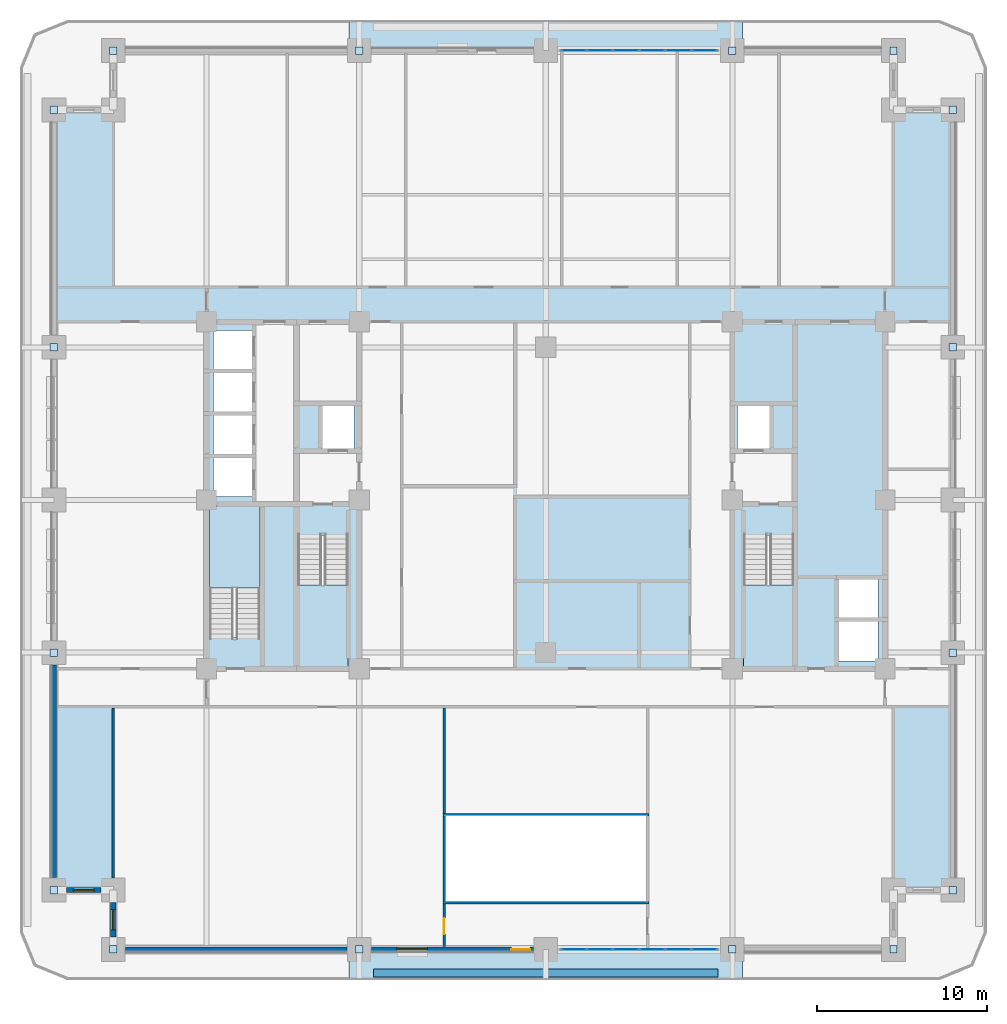
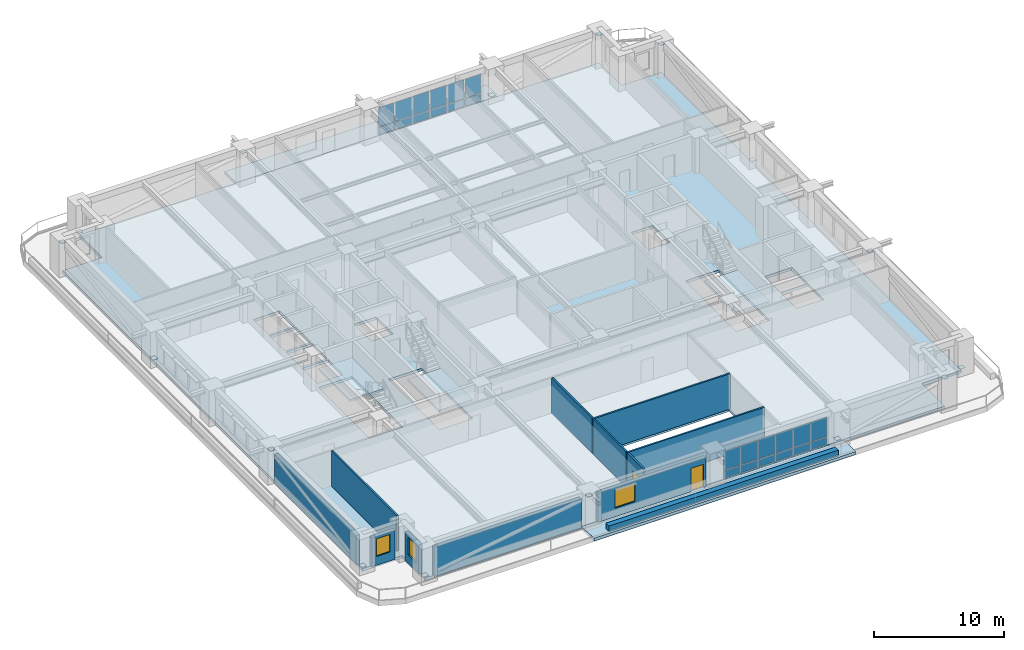
# One storey, part 7 of 20: 40 plates, 12 walls, 6 slabs, 3 windows, 2 doors, 5 openings, 5 elements without a shape of their own.
"""IFC4 building model written with IfcOpenShell, lengths in metres."""

from ifc_helpers import new_model, si_unit, direction, frame, frame_2d, origin, origin_2d, place, context, subcontext, project, spatial, polyline, rectangle, outline, extrude, material, layer, layer_set, type_object, element, fill, aggregate, save


model = new_model("IFC4")

# Units and contexts
model_context = context("Model", 3, precision=1e-05, world=origin(), true_north=direction((0.0, 1.0)))
body_context = subcontext(model_context, "Body", "Model", "MODEL_VIEW")
ifc_project = project(units=[si_unit("LENGTHUNIT", "METRE"), si_unit("AREAUNIT", "SQUARE_METRE"), si_unit("VOLUMEUNIT", "CUBIC_METRE"), si_unit("PLANEANGLEUNIT", "RADIAN"), si_unit("MASSUNIT", "GRAM", prefix="KILO")], contexts=[model_context])

# Site, building, storey
site_placement = place(None, origin())
site = spatial("IfcSite", under=ifc_project, at=site_placement, CompositionType="ELEMENT")
building_placement = place(site_placement, origin())
building = spatial("IfcBuilding", under=site, at=building_placement, Name="Zulmaris Gate Convention Tower", CompositionType="ELEMENT")
storey_placement = place(building_placement, frame((0.0, 0.0, 75.0400390625)))
storey = spatial("IfcBuildingStorey", under=building, at=storey_placement, Name="L18", CompositionType="ELEMENT", Elevation=75.0400390625)

# Curtain wall, plates
ifc_material_1 = material(Name="Anodised Aluminium", Category="aluminium")
curtain_wall_type = type_object("IfcCurtainWallType", Name="CW-05", PredefinedType="NOTDEFINED", material=ifc_material_1)
curtain_wall_1_placement = place(storey_placement, origin())
curtain_wall_1 = element("IfcCurtainWall", 1, at=curtain_wall_1_placement, inside=storey, type_object=curtain_wall_type, Name="CW-05 CW05-L18-S-2_0", PredefinedType="NOTDEFINED")
ifc_material_2 = material(Name="Low-E Double Glazing", Category="glass")
ifc_layer_1 = layer(ifc_material_2, 0.028076171875, Name="Low-E Double Glazing")
ifc_layer_set_1 = layer_set([ifc_layer_1], Name="Low-E Double Glazing")
plate_type_1 = type_object("IfcPlateType", Name="CW-05-VISION", PredefinedType="CURTAIN_PANEL", material=ifc_layer_set_1)
plate_1_placement = place(storey_placement, frame((1.652099609375, -26.5, 0.074951171875), z_axis=(0.0, 0.0, 1.0), x_axis=(1.0, 0.0, 0.0)))
plate_1 = element("IfcPlate", 2, at=plate_1_placement, type_object=plate_type_1, Name="CW-05 panel 1.1", PredefinedType="CURTAIN_PANEL", context=body_context, shape_type="SweptSolid", body=[
    extrude(rectangle(XDim=1.43408203125, YDim=0.028076171875, at=origin_2d()), origin(), (0.0, 0.0, 1.0), 0.6875),
])
plate_2_placement = place(storey_placement, frame((1.652099609375, -26.5, 0.83740234375), z_axis=(0.0, 0.0, 1.0), x_axis=(1.0, 0.0, 0.0)))
plate_2 = element("IfcPlate", 3, at=plate_2_placement, type_object=plate_type_1, Name="CW-05 panel 1.2", PredefinedType="CURTAIN_PANEL", context=body_context, shape_type="SweptSolid", body=[
    extrude(rectangle(XDim=1.43408203125, YDim=0.028076171875, at=origin_2d()), origin(), (0.0, 0.0, 1.0), 1.79931640625),
])
plate_3_placement = place(storey_placement, frame((3.179931640625, -26.5, 0.074951171875), z_axis=(0.0, 0.0, 1.0), x_axis=(1.0, 0.0, 0.0)))
plate_3 = element("IfcPlate", 4, at=plate_3_placement, type_object=plate_type_1, Name="CW-05 panel 2.1", PredefinedType="CURTAIN_PANEL", context=body_context, shape_type="SweptSolid", body=[
    extrude(rectangle(XDim=1.4716796875, YDim=0.028076171875, at=origin_2d()), origin(), (0.0, 0.0, 1.0), 0.6875),
])
plate_4_placement = place(storey_placement, frame((3.179931640625, -26.5, 0.83740234375), z_axis=(0.0, 0.0, 1.0), x_axis=(1.0, 0.0, 0.0)))
plate_4 = element("IfcPlate", 5, at=plate_4_placement, type_object=plate_type_1, Name="CW-05 panel 2.2", PredefinedType="CURTAIN_PANEL", context=body_context, shape_type="SweptSolid", body=[
    extrude(rectangle(XDim=1.4716796875, YDim=0.028076171875, at=origin_2d()), origin(), (0.0, 0.0, 1.0), 1.79931640625),
])
plate_5_placement = place(storey_placement, frame((4.7265625, -26.5, 0.074951171875), z_axis=(0.0, 0.0, 1.0), x_axis=(1.0, 0.0, 0.0)))
plate_5 = element("IfcPlate", 6, at=plate_5_placement, type_object=plate_type_1, Name="CW-05 panel 3.1", PredefinedType="CURTAIN_PANEL", context=body_context, shape_type="SweptSolid", body=[
    extrude(rectangle(XDim=1.4716796875, YDim=0.028076171875, at=origin_2d()), origin(), (0.0, 0.0, 1.0), 0.6875),
])
plate_6_placement = place(storey_placement, frame((4.7265625, -26.5, 0.83740234375), z_axis=(0.0, 0.0, 1.0), x_axis=(1.0, 0.0, 0.0)))
plate_6 = element("IfcPlate", 7, at=plate_6_placement, type_object=plate_type_1, Name="CW-05 panel 3.2", PredefinedType="CURTAIN_PANEL", context=body_context, shape_type="SweptSolid", body=[
    extrude(rectangle(XDim=1.4716796875, YDim=0.028076171875, at=origin_2d()), origin(), (0.0, 0.0, 1.0), 1.79931640625),
])
plate_7_placement = place(storey_placement, frame((6.2734375, -26.5, 0.074951171875), z_axis=(0.0, 0.0, 1.0), x_axis=(1.0, 0.0, 0.0)))
plate_7 = element("IfcPlate", 8, at=plate_7_placement, type_object=plate_type_1, Name="CW-05 panel 4.1", PredefinedType="CURTAIN_PANEL", context=body_context, shape_type="SweptSolid", body=[
    extrude(rectangle(XDim=1.4716796875, YDim=0.028076171875, at=origin_2d()), origin(), (0.0, 0.0, 1.0), 0.6875),
])
plate_8_placement = place(storey_placement, frame((6.2734375, -26.5, 0.83740234375), z_axis=(0.0, 0.0, 1.0), x_axis=(1.0, 0.0, 0.0)))
plate_8 = element("IfcPlate", 9, at=plate_8_placement, type_object=plate_type_1, Name="CW-05 panel 4.2", PredefinedType="CURTAIN_PANEL", context=body_context, shape_type="SweptSolid", body=[
    extrude(rectangle(XDim=1.4716796875, YDim=0.028076171875, at=origin_2d()), origin(), (0.0, 0.0, 1.0), 1.79931640625),
])
plate_9_placement = place(storey_placement, frame((7.820068359375, -26.5, 0.074951171875), z_axis=(0.0, 0.0, 1.0), x_axis=(1.0, 0.0, 0.0)))
plate_9 = element("IfcPlate", 10, at=plate_9_placement, type_object=plate_type_1, Name="CW-05 panel 5.1", PredefinedType="CURTAIN_PANEL", context=body_context, shape_type="SweptSolid", body=[
    extrude(rectangle(XDim=1.4716796875, YDim=0.028076171875, at=origin_2d()), origin(), (0.0, 0.0, 1.0), 0.6875),
])
plate_10_placement = place(storey_placement, frame((7.820068359375, -26.5, 0.83740234375), z_axis=(0.0, 0.0, 1.0), x_axis=(1.0, 0.0, 0.0)))
plate_10 = element("IfcPlate", 11, at=plate_10_placement, type_object=plate_type_1, Name="CW-05 panel 5.2", PredefinedType="CURTAIN_PANEL", context=body_context, shape_type="SweptSolid", body=[
    extrude(rectangle(XDim=1.4716796875, YDim=0.028076171875, at=origin_2d()), origin(), (0.0, 0.0, 1.0), 1.79931640625),
])
plate_11_placement = place(storey_placement, frame((9.347900390625, -26.5, 0.074951171875), z_axis=(0.0, 0.0, 1.0), x_axis=(1.0, 0.0, 0.0)))
plate_11 = element("IfcPlate", 12, at=plate_11_placement, type_object=plate_type_1, Name="CW-05 panel 6.1", PredefinedType="CURTAIN_PANEL", context=body_context, shape_type="SweptSolid", body=[
    extrude(rectangle(XDim=1.43408203125, YDim=0.028076171875, at=origin_2d()), origin(), (0.0, 0.0, 1.0), 0.6875),
])
plate_12_placement = place(storey_placement, frame((9.347900390625, -26.5, 0.83740234375), z_axis=(0.0, 0.0, 1.0), x_axis=(1.0, 0.0, 0.0)))
plate_12 = element("IfcPlate", 13, at=plate_12_placement, type_object=plate_type_1, Name="CW-05 panel 6.2", PredefinedType="CURTAIN_PANEL", context=body_context, shape_type="SweptSolid", body=[
    extrude(rectangle(XDim=1.43408203125, YDim=0.028076171875, at=origin_2d()), origin(), (0.0, 0.0, 1.0), 1.79931640625),
])
aggregate(curtain_wall_1, [plate_1, plate_2, plate_3, plate_4, plate_5, plate_6, plate_7, plate_8, plate_9, plate_10, plate_11, plate_12])

curtain_wall_2_placement = place(storey_placement, origin())
curtain_wall_2 = element("IfcCurtainWall", 14, at=curtain_wall_2_placement, inside=storey, type_object=curtain_wall_type, Name="CW-05 CW05-L18-N-2_0", PredefinedType="NOTDEFINED")
plate_13_placement = place(storey_placement, frame((9.347900390625, 26.5, 0.074951171875), z_axis=(0.0, 0.0, 1.0), x_axis=(-1.0, 0.0, 0.0)))
plate_13 = element("IfcPlate", 15, at=plate_13_placement, type_object=plate_type_1, Name="CW-05 panel 1.1", PredefinedType="CURTAIN_PANEL", context=body_context, shape_type="SweptSolid", body=[
    extrude(rectangle(XDim=1.43408203125, YDim=0.028076171875, at=origin_2d()), origin(), (0.0, 0.0, 1.0), 0.6875),
])
plate_14_placement = place(storey_placement, frame((9.347900390625, 26.5, 0.83740234375), z_axis=(0.0, 0.0, 1.0), x_axis=(-1.0, 0.0, 0.0)))
plate_14 = element("IfcPlate", 16, at=plate_14_placement, type_object=plate_type_1, Name="CW-05 panel 1.2", PredefinedType="CURTAIN_PANEL", context=body_context, shape_type="SweptSolid", body=[
    extrude(rectangle(XDim=1.43408203125, YDim=0.028076171875, at=origin_2d()), origin(), (0.0, 0.0, 1.0), 1.79931640625),
])
plate_15_placement = place(storey_placement, frame((7.820068359375, 26.5, 0.074951171875), z_axis=(0.0, 0.0, 1.0), x_axis=(-1.0, 0.0, 0.0)))
plate_15 = element("IfcPlate", 17, at=plate_15_placement, type_object=plate_type_1, Name="CW-05 panel 2.1", PredefinedType="CURTAIN_PANEL", context=body_context, shape_type="SweptSolid", body=[
    extrude(rectangle(XDim=1.4716796875, YDim=0.028076171875, at=origin_2d()), origin(), (0.0, 0.0, 1.0), 0.6875),
])
plate_16_placement = place(storey_placement, frame((7.820068359375, 26.5, 0.83740234375), z_axis=(0.0, 0.0, 1.0), x_axis=(-1.0, 0.0, 0.0)))
plate_16 = element("IfcPlate", 18, at=plate_16_placement, type_object=plate_type_1, Name="CW-05 panel 2.2", PredefinedType="CURTAIN_PANEL", context=body_context, shape_type="SweptSolid", body=[
    extrude(rectangle(XDim=1.4716796875, YDim=0.028076171875, at=origin_2d()), origin(), (0.0, 0.0, 1.0), 1.79931640625),
])
plate_17_placement = place(storey_placement, frame((6.2734375, 26.5, 0.074951171875), z_axis=(0.0, 0.0, 1.0), x_axis=(-1.0, 0.0, 0.0)))
plate_17 = element("IfcPlate", 19, at=plate_17_placement, type_object=plate_type_1, Name="CW-05 panel 3.1", PredefinedType="CURTAIN_PANEL", context=body_context, shape_type="SweptSolid", body=[
    extrude(rectangle(XDim=1.4716796875, YDim=0.028076171875, at=origin_2d()), origin(), (0.0, 0.0, 1.0), 0.6875),
])
plate_18_placement = place(storey_placement, frame((6.2734375, 26.5, 0.83740234375), z_axis=(0.0, 0.0, 1.0), x_axis=(-1.0, 0.0, 0.0)))
plate_18 = element("IfcPlate", 20, at=plate_18_placement, type_object=plate_type_1, Name="CW-05 panel 3.2", PredefinedType="CURTAIN_PANEL", context=body_context, shape_type="SweptSolid", body=[
    extrude(rectangle(XDim=1.4716796875, YDim=0.028076171875, at=origin_2d()), origin(), (0.0, 0.0, 1.0), 1.79931640625),
])
plate_19_placement = place(storey_placement, frame((4.7265625, 26.5, 0.074951171875), z_axis=(0.0, 0.0, 1.0), x_axis=(-1.0, 0.0, 0.0)))
plate_19 = element("IfcPlate", 21, at=plate_19_placement, type_object=plate_type_1, Name="CW-05 panel 4.1", PredefinedType="CURTAIN_PANEL", context=body_context, shape_type="SweptSolid", body=[
    extrude(rectangle(XDim=1.4716796875, YDim=0.028076171875, at=origin_2d()), origin(), (0.0, 0.0, 1.0), 0.6875),
])
plate_20_placement = place(storey_placement, frame((4.7265625, 26.5, 0.83740234375), z_axis=(0.0, 0.0, 1.0), x_axis=(-1.0, 0.0, 0.0)))
plate_20 = element("IfcPlate", 22, at=plate_20_placement, type_object=plate_type_1, Name="CW-05 panel 4.2", PredefinedType="CURTAIN_PANEL", context=body_context, shape_type="SweptSolid", body=[
    extrude(rectangle(XDim=1.4716796875, YDim=0.028076171875, at=origin_2d()), origin(), (0.0, 0.0, 1.0), 1.79931640625),
])
plate_21_placement = place(storey_placement, frame((3.179931640625, 26.5, 0.074951171875), z_axis=(0.0, 0.0, 1.0), x_axis=(-1.0, 0.0, 0.0)))
plate_21 = element("IfcPlate", 23, at=plate_21_placement, type_object=plate_type_1, Name="CW-05 panel 5.1", PredefinedType="CURTAIN_PANEL", context=body_context, shape_type="SweptSolid", body=[
    extrude(rectangle(XDim=1.4716796875, YDim=0.028076171875, at=origin_2d()), origin(), (0.0, 0.0, 1.0), 0.6875),
])
plate_22_placement = place(storey_placement, frame((3.179931640625, 26.5, 0.83740234375), z_axis=(0.0, 0.0, 1.0), x_axis=(-1.0, 0.0, 0.0)))
plate_22 = element("IfcPlate", 24, at=plate_22_placement, type_object=plate_type_1, Name="CW-05 panel 5.2", PredefinedType="CURTAIN_PANEL", context=body_context, shape_type="SweptSolid", body=[
    extrude(rectangle(XDim=1.4716796875, YDim=0.028076171875, at=origin_2d()), origin(), (0.0, 0.0, 1.0), 1.79931640625),
])
plate_23_placement = place(storey_placement, frame((1.652099609375, 26.5, 0.074951171875), z_axis=(0.0, 0.0, 1.0), x_axis=(-1.0, 0.0, 0.0)))
plate_23 = element("IfcPlate", 25, at=plate_23_placement, type_object=plate_type_1, Name="CW-05 panel 6.1", PredefinedType="CURTAIN_PANEL", context=body_context, shape_type="SweptSolid", body=[
    extrude(rectangle(XDim=1.43408203125, YDim=0.028076171875, at=origin_2d()), origin(), (0.0, 0.0, 1.0), 0.6875),
])
plate_24_placement = place(storey_placement, frame((1.652099609375, 26.5, 0.83740234375), z_axis=(0.0, 0.0, 1.0), x_axis=(-1.0, 0.0, 0.0)))
plate_24 = element("IfcPlate", 26, at=plate_24_placement, type_object=plate_type_1, Name="CW-05 panel 6.2", PredefinedType="CURTAIN_PANEL", context=body_context, shape_type="SweptSolid", body=[
    extrude(rectangle(XDim=1.43408203125, YDim=0.028076171875, at=origin_2d()), origin(), (0.0, 0.0, 1.0), 1.79931640625),
])
aggregate(curtain_wall_2, [plate_13, plate_14, plate_15, plate_16, plate_17, plate_18, plate_19, plate_20, plate_21, plate_22, plate_23, plate_24])

# Plates
ifc_material_3 = material(Name="Steel S460", Category="steel")
ifc_layer_2 = layer(ifc_material_3, 0.02490234375, Name="Steel S460")
ifc_layer_set_2 = layer_set([ifc_layer_2], Name="Steel S460")
plate_type_2 = type_object("IfcPlateType", Name="NP-CAP-440", PredefinedType="USERDEFINED", material=ifc_layer_set_2)
for number, where, z_axis, x_axis, name in (
    (27, (-29.0, -23.0, 0.28759765625), (0.0, 0.0, 1.0), (1.0, 0.0, 0.0), "L18 Steel Node Plate PBR-L18-SW-W-CAP"),
    (28, (-29.0, -9.0, 2.6875), (0.0, 0.0, 1.0), (1.0, 0.0, 0.0), "L18 Steel Node Plate PBR-L18-SW-W-CAPB"),
    (29, (-29.0, 9.0, 0.28759765625), (0.0, 0.0, 1.0), (1.0, 0.0, 0.0), "L18 Steel Node Plate PBR-L18-NW-W-CAP"),
    (30, (-29.0, 23.0, 2.6875), (0.0, 0.0, 1.0), (1.0, 0.0, 0.0), "L18 Steel Node Plate PBR-L18-NW-W-CAPB"),
    (31, (24.0, -23.0, 0.28759765625), (0.0, 0.0, 1.0), (1.0, 0.0, 0.0), "L18 Steel Node Plate PBR-L18-SE-E-CAP"),
    (32, (24.0, -9.0, 2.6875), (0.0, 0.0, 1.0), (1.0, 0.0, 0.0), "L18 Steel Node Plate PBR-L18-SE-E-CAPB"),
    (33, (24.0, 9.0, 0.28759765625), (0.0, 0.0, 1.0), (1.0, 0.0, 0.0), "L18 Steel Node Plate PBR-L18-NE-E-CAP"),
    (34, (24.0, 23.0, 2.6875), (0.0, 0.0, 1.0), (1.0, 0.0, 0.0), "L18 Steel Node Plate PBR-L18-NE-E-CAPB"),
    (35, (-25.5, -26.5, 0.28759765625), (0.0, 0.0, 1.0), (1.0, 0.0, 0.0), "L18 Steel Node Plate PBR-L18-SW-S-CAP"),
    (36, (-11.0, -26.5, 2.6875), (0.0, 0.0, 1.0), (1.0, 0.0, 0.0), "L18 Steel Node Plate PBR-L18-SW-S-CAPB"),
    (37, (11.0, -26.5, 0.28759765625), (0.0, 0.0, 1.0), (1.0, 0.0, 0.0), "L18 Steel Node Plate PBR-L18-SE-S-CAP"),
    (38, (20.5, -26.5, 2.6875), (0.0, 0.0, 1.0), (1.0, 0.0, 0.0), "L18 Steel Node Plate PBR-L18-SE-S-CAPB"),
    (39, (-25.5, 26.5, 0.28759765625), (0.0, 0.0, 1.0), (1.0, 0.0, 0.0), "L18 Steel Node Plate PBR-L18-NW-N-CAP"),
    (40, (-11.0, 26.5, 2.6875), (0.0, 0.0, 1.0), (1.0, 0.0, 0.0), "L18 Steel Node Plate PBR-L18-NW-N-CAPB"),
    (41, (11.0, 26.5, 0.28759765625), (0.0, 0.0, 1.0), (1.0, 0.0, 0.0), "L18 Steel Node Plate PBR-L18-NE-N-CAP"),
    (42, (20.5, 26.5, 2.6875), (0.0, 0.0, 1.0), (1.0, 0.0, 0.0), "L18 Steel Node Plate PBR-L18-NE-N-CAPB"),
):
    element("IfcPlate", number, at=place(storey_placement, frame(where, z_axis=z_axis, x_axis=x_axis)), inside=storey, type_object=plate_type_2, Name=name, ObjectType="FLANGE PLATE", PredefinedType="USERDEFINED", context=body_context, shape_type="SweptSolid", body=[
        extrude(rectangle(XDim=0.43994140625, YDim=0.43994140625, at=origin_2d()), origin(), (0.0, 0.0, 1.0), 0.02490234375),
    ])

# Slabs
ifc_material_4 = material(Name="Precast concrete C50/60", Category="concrete")
ifc_layer_3 = layer(ifc_material_4, 0.260009765625, Name="Precast concrete C50/60")
ifc_layer_set_3 = layer_set([ifc_layer_3], Name="Precast concrete C50/60")
slab_type_1 = type_object("IfcSlabType", Name="SL-BAL-260", PredefinedType="FLOOR", material=ifc_layer_set_3)
slab_1_placement = place(storey_placement, frame((0.0, 0.0, -0.324951171875)))
element("IfcSlab", 43, at=slab_1_placement, inside=storey, type_object=slab_type_1, Name="L18 South Tree-Balcony Planter Slab", PredefinedType="FLOOR", context=body_context, shape_type="SweptSolid", body=[
    extrude(outline(polyline([(-11.597900390625, -28.300048828125), (-11.597900390625, -26.5), (11.597900390625, -26.5), (11.597900390625, -28.300048828125), (-11.597900390625, -28.300048828125)])), origin(), (0.0, 0.0, 1.0), 0.284912109375),
])
slab_2_placement = place(storey_placement, frame((0.0, 0.0, -0.324951171875)))
element("IfcSlab", 44, at=slab_2_placement, inside=storey, type_object=slab_type_1, Name="L18 North Tree-Balcony Planter Slab", PredefinedType="FLOOR", context=body_context, shape_type="SweptSolid", body=[
    extrude(outline(polyline([(11.597900390625, 28.300048828125), (11.597900390625, 26.5), (-11.597900390625, 26.5), (-11.597900390625, 28.300048828125), (11.597900390625, 28.300048828125)])), origin(), (0.0, 0.0, 1.0), 0.284912109375),
])
ifc_material_5 = material(Name="Concrete C50/60", Category="concrete")
ifc_layer_4 = layer(ifc_material_5, 0.25, Name="Concrete C50/60")
ifc_layer_set_4 = layer_set([ifc_layer_4], Name="Concrete C50/60")
slab_type_2 = type_object("IfcSlabType", Name="SL-FLR-250", PredefinedType="FLOOR", material=ifc_layer_set_4)
slab_3_placement = place(storey_placement, frame((0.0, 0.0, -0.25)))
element("IfcSlab", 45, at=slab_3_placement, inside=storey, type_object=slab_type_2, Name="L18 Shifted Notched-Square Structural Floor Slab", PredefinedType="FLOOR", context=body_context, shape_type="SweptSolid", body=[
    extrude(outline(polyline([(-25.5, -26.5), (20.5, -26.5), (20.5, -23.0), (24.0, -23.0), (24.0, 23.0), (20.5, 23.0), (20.5, 26.5), (-25.5, 26.5), (-25.5, 23.0), (-29.0, 23.0), (-29.0, -23.0), (-25.5, -23.0), (-25.5, -26.5)]), holes=[polyline([(-14.6201171875, -2.080078125), (-14.6201171875, -9.85009765625), (-11.659912109375, -9.85009765625), (-11.659912109375, -2.080078125), (-14.6201171875, -2.080078125)]), polyline([(11.659912109375, -2.080078125), (11.659912109375, -9.85009765625), (14.6201171875, -9.85009765625), (14.6201171875, -2.080078125), (11.659912109375, -2.080078125)]), polyline([(-16.860107421875, -8.1201171875), (-16.860107421875, -0.35009765625), (-19.820068359375, -0.35009765625), (-19.820068359375, -8.1201171875), (-16.860107421875, -8.1201171875)]), polyline([(-13.199951171875, 3.0), (-11.300048828125, 3.0), (-11.300048828125, 5.60009765625), (-13.199951171875, 5.60009765625), (-13.199951171875, 3.0)]), polyline([(11.300048828125, 3.0), (13.199951171875, 3.0), (13.199951171875, 5.60009765625), (11.300048828125, 5.60009765625), (11.300048828125, 3.0)]), polyline([(-19.60009765625, 0.199951171875), (-17.300048828125, 0.199951171875), (-17.300048828125, 2.5), (-19.60009765625, 2.5), (-19.60009765625, 0.199951171875)]), polyline([(-19.60009765625, 2.699951171875), (-17.300048828125, 2.699951171875), (-17.300048828125, 5.0), (-19.60009765625, 5.0), (-19.60009765625, 2.699951171875)]), polyline([(-19.60009765625, 5.199951171875), (-17.300048828125, 5.199951171875), (-17.300048828125, 7.5), (-19.60009765625, 7.5), (-19.60009765625, 5.199951171875)]), polyline([(-19.60009765625, 7.699951171875), (-17.300048828125, 7.699951171875), (-17.300048828125, 10.0), (-19.60009765625, 10.0), (-19.60009765625, 7.699951171875)]), polyline([(17.199951171875, -9.5), (19.60009765625, -9.5), (19.60009765625, -7.10009765625), (17.199951171875, -7.10009765625), (17.199951171875, -9.5)]), polyline([(17.199951171875, -7.0), (19.60009765625, -7.0), (19.60009765625, -4.60009765625), (17.199951171875, -4.60009765625), (17.199951171875, -7.0)]), polyline([(-6.0, -23.75), (6.0, -23.75), (6.0, -18.550048828125), (-6.0, -18.550048828125), (-6.0, -23.75)])]), origin(), (0.0, 0.0, 1.0), 0.25),
])

# Stair, slab
ifc_material_6 = material(Name="Concrete C45/55", Category="concrete")
stair_type = type_object("IfcStairType", Name="ST-CORE-DOGLEG", PredefinedType="HALF_TURN_STAIR", material=ifc_material_6)
stair_1_placement = place(storey_placement, origin())
stair_1 = element("IfcStair", 46, at=stair_1_placement, inside=storey, type_object=stair_type, Name="L18 Core Exit Stair ST-1", PredefinedType="HALF_TURN_STAIR")
ifc_layer_5 = layer(ifc_material_6, 0.199951171875, Name="Concrete C45/55")
ifc_layer_set_5 = layer_set([ifc_layer_5], Name="Concrete C45/55")
slab_type_3 = type_object("IfcSlabType", Name="SL-LND-200", PredefinedType="LANDING", material=ifc_layer_set_5)
slab_4_placement = place(storey_placement, frame((0.0, 0.0, 1.5849609375)))
slab_4 = element("IfcSlab", 47, at=slab_4_placement, type_object=slab_type_3, Name="ST-1 landing 1", PredefinedType="LANDING", context=body_context, shape_type="SweptSolid", body=[
    extrude(outline(polyline([(-14.6201171875, -5.0), (-14.6201171875, -9.85009765625), (-11.659912109375, -9.85009765625), (-11.659912109375, -5.0), (-14.6201171875, -5.0)])), origin(), (0.0, 0.0, 1.0), 0.199951171875),
])
aggregate(stair_1, [slab_4])

stair_2_placement = place(storey_placement, origin())
stair_2 = element("IfcStair", 48, at=stair_2_placement, inside=storey, type_object=stair_type, Name="L18 Core Exit Stair ST-2", PredefinedType="HALF_TURN_STAIR")
slab_5_placement = place(storey_placement, frame((0.0, 0.0, 1.5849609375)))
slab_5 = element("IfcSlab", 49, at=slab_5_placement, type_object=slab_type_3, Name="ST-2 landing 1", PredefinedType="LANDING", context=body_context, shape_type="SweptSolid", body=[
    extrude(outline(polyline([(11.659912109375, -5.0), (11.659912109375, -9.85009765625), (14.6201171875, -9.85009765625), (14.6201171875, -5.0), (11.659912109375, -5.0)])), origin(), (0.0, 0.0, 1.0), 0.199951171875),
])
aggregate(stair_2, [slab_5])

stair_3_placement = place(storey_placement, origin())
stair_3 = element("IfcStair", 50, at=stair_3_placement, inside=storey, type_object=stair_type, Name="L18 Core Exit Stair ST-3", PredefinedType="HALF_TURN_STAIR")
slab_6_placement = place(storey_placement, frame((0.0, 0.0, 1.5849609375)))
slab_6 = element("IfcSlab", 51, at=slab_6_placement, type_object=slab_type_3, Name="ST-3 landing 1", PredefinedType="LANDING", context=body_context, shape_type="SweptSolid", body=[
    extrude(outline(polyline([(-16.860107421875, -5.199951171875), (-16.860107421875, -0.35009765625), (-19.820068359375, -0.35009765625), (-19.820068359375, -5.199951171875), (-16.860107421875, -5.199951171875)])), origin(), (0.0, 0.0, 1.0), 0.199951171875),
])
aggregate(stair_3, [slab_6])

# Walls
ifc_material_7 = material(Name="Gypsum Metal Stud Partition")
ifc_layer_6 = layer(ifc_material_7, 0.14990234375, Name="Gypsum Metal Stud Partition")
ifc_layer_set_6 = layer_set([ifc_layer_6], Name="Gypsum Metal Stud Partition")
wall_type_1 = type_object("IfcWallType", Name="PART-150", PredefinedType="PARTITIONING", material=ifc_layer_set_6)
for number, where, z_axis, x_axis, name in (
    (52, (-6.074951171875, -23.75, 0.0), (0.0, 0.0, 1.0), (1.0, 0.0, 0.0), "WL-L18-020"),
    (53, (-6.074951171875, -18.550048828125, 0.0), (0.0, 0.0, 1.0), (1.0, 0.0, 0.0), "WL-L18-021"),
):
    element("IfcWall", number, at=place(storey_placement, frame(where, z_axis=z_axis, x_axis=x_axis)), inside=storey, type_object=wall_type_1, Name=name, PredefinedType="PARTITIONING", context=body_context, shape_type="SweptSolid", body=[
        extrude(rectangle(XDim=12.14990234375, YDim=0.14990234375, at=frame_2d((6.074951171875, 0.0))), origin(), (0.0, 0.0, 1.0), 3.31982421875),
    ])
wall_1_placement = place(storey_placement, frame((-25.5, -22.2939453125, 0.0), z_axis=(0.0, 0.0, 1.0), x_axis=(0.0, 1.0, 0.0)))
element("IfcWall", 54, at=wall_1_placement, inside=storey, type_object=wall_type_1, Name="WL-L18-070", PredefinedType="PARTITIONING", context=body_context, shape_type="SweptSolid", body=[
    extrude(rectangle(XDim=10.015869140625, YDim=0.14990234375, at=frame_2d((5.0078125, 0.0))), origin(), (0.0, 0.0, 1.0), 3.31982421875),
])

# Wall, opening, door
wall_2_placement = place(storey_placement, frame((-6.0, -26.3349609375, 0.0), z_axis=(0.0, 0.0, 1.0), x_axis=(0.0, 1.0, 0.0)))
wall_2 = element("IfcWall", 55, at=wall_2_placement, inside=storey, type_object=wall_type_1, Name="WL-L18-078", PredefinedType="PARTITIONING", context=body_context, shape_type="SweptSolid", body=[
    extrude(rectangle(XDim=2.507080078125, YDim=0.14990234375, at=frame_2d((1.25341796875, 0.0))), origin(), (0.0, 0.0, 1.0), 3.31982421875),
])
opening_1_placement = place(wall_2_placement, frame((0.739990234375, 0.0, 0.0)))
opening_1 = element("IfcOpeningElement", 56, at=opening_1_placement, cuts=wall_2, Name="Opening D-16", PredefinedType="OPENING", context=body_context, shape_type="SweptSolid", body=[
    extrude(rectangle(XDim=0.949951171875, YDim=2.14990234375, at=frame_2d((0.47509765625, 1.074951171875))), frame((0.0, 0.0849609375, 0.0), z_axis=(0.0, -1.0, 0.0), x_axis=(1.0, 0.0, 0.0)), (0.0, 0.0, 1.0), 0.169921875),
])
ifc_material_8 = material(Name="Veneered Hardwood Timber", Category="wood")
door_type_1 = type_object("IfcDoorType", Name="DR-950", OperationType="NOTDEFINED", PredefinedType="DOOR", material=ifc_material_8)
door_1_placement = place(opening_1_placement, origin())
door_1 = element("IfcDoor", 57, at=door_1_placement, inside=storey, type_object=door_type_1, Name="L18 Terrace Loggia West Door 27", OperationType="SINGLE_SWING_LEFT", OverallHeight=2.14990234375, OverallWidth=0.949951171875, PredefinedType="DOOR", context=body_context, shape_type="SweptSolid", body=[
    extrude(rectangle(XDim=0.949951171875, YDim=2.14990234375, at=frame_2d((0.47509765625, 1.074951171875))), frame((0.0, 0.02490234375, 0.0), z_axis=(0.0, -1.0, 0.0), x_axis=(1.0, 0.0, 0.0)), (0.0, 0.0, 1.0), 0.050048828125),
])
fill(opening_1, door_1)

# Walls
wall_3_placement = place(storey_placement, frame((-6.0, -23.672119140625, 0.0), z_axis=(0.0, 0.0, 1.0), x_axis=(0.0, 1.0, 0.0)))
element("IfcWall", 58, at=wall_3_placement, inside=storey, type_object=wall_type_1, Name="WL-L18-079", PredefinedType="PARTITIONING", context=body_context, shape_type="SweptSolid", body=[
    extrude(rectangle(XDim=5.044189453125, YDim=0.14990234375, at=frame_2d((2.52197265625, 0.0))), origin(), (0.0, 0.0, 1.0), 3.31982421875),
])
wall_4_placement = place(storey_placement, frame((-6.0, -18.471923828125, 0.0), z_axis=(0.0, 0.0, 1.0), x_axis=(0.0, 1.0, 0.0)))
element("IfcWall", 59, at=wall_4_placement, inside=storey, type_object=wall_type_1, Name="WL-L18-080", PredefinedType="PARTITIONING", context=body_context, shape_type="SweptSolid", body=[
    extrude(rectangle(XDim=6.19384765625, YDim=0.14990234375, at=frame_2d((3.096923828125, 0.0))), origin(), (0.0, 0.0, 1.0), 3.31982421875),
])
ifc_material_9 = material(Name="Botanical Green Glazed Precast Concrete C40/50", Category="concrete")
ifc_layer_7 = layer(ifc_material_9, 0.419921875, Name="Botanical Green Glazed Precast Concrete C40/50")
ifc_layer_set_7 = layer_set([ifc_layer_7], Name="Botanical Green Glazed Precast Concrete C40/50")
wall_type_2 = type_object("IfcWallType", Name="PLANTER-CURB-200", PredefinedType="PARAPET", material=ifc_layer_set_7)
wall_5_placement = place(storey_placement, frame((-10.14990234375, -27.8798828125, -0.0400390625), z_axis=(0.0, 0.0, 1.0), x_axis=(1.0, 0.0, 0.0)))
element("IfcWall", 60, at=wall_5_placement, inside=storey, type_object=wall_type_2, Name="L18 Full-Length Balcony Tree Planter Trough", PredefinedType="PARAPET", context=body_context, shape_type="SweptSolid", body=[
    extrude(rectangle(XDim=20.2998046875, YDim=0.47998046875, at=frame_2d((10.14990234375, 0.0))), origin(), (0.0, 0.0, 1.0), 0.52001953125),
])

# Wall, opening, window
ifc_material_10 = material(Name="Precast concrete C40/50", Category="concrete")
ifc_layer_8 = layer(ifc_material_10, 0.300048828125, Name="Precast concrete C40/50")
ifc_layer_set_8 = layer_set([ifc_layer_8], Name="Precast concrete C40/50")
wall_type_3 = type_object("IfcWallType", Name="PRECAST-PIER-300", PredefinedType="STANDARD", material=ifc_layer_set_8)
wall_6_placement = place(storey_placement, frame((-28.27001953125, -23.0, 0.0), z_axis=(0.0, 0.0, 1.0), x_axis=(1.0, 0.0, 0.0)))
wall_6 = element("IfcWall", 61, at=wall_6_placement, inside=storey, type_object=wall_type_3, Name="EW-L18-NOTCH-SW1_0", PredefinedType="STANDARD", context=body_context, shape_type="SweptSolid", body=[
    extrude(rectangle(XDim=2.0400390625, YDim=0.300048828125, at=frame_2d((1.02001953125, 0.0))), origin(), (0.0, 0.0, 1.0), 2.7119140625),
])
opening_2_placement = place(wall_6_placement, frame((0.419921875, 0.0, 0.820068359375)))
opening_2 = element("IfcOpeningElement", 62, at=opening_2_placement, cuts=wall_6, Name="Opening W-04", PredefinedType="OPENING", context=body_context, shape_type="SweptSolid", body=[
    extrude(rectangle(XDim=1.199951171875, YDim=1.64990234375, at=frame_2d((0.60009765625, 0.824951171875))), frame((0.0, 0.16015625, 0.0), z_axis=(0.0, -1.0, 0.0), x_axis=(1.0, 0.0, 0.0)), (0.0, 0.0, 1.0), 0.320068359375),
])
ifc_material_11 = material(Name="Low-E Laminated Double Glazing in Aluminium Frame", Category="aluminium")
window_type_1 = type_object("IfcWindowType", Name="WIN-1200x2100", PartitioningType="SINGLE_PANEL", PredefinedType="WINDOW", material=ifc_material_11)
window_1_placement = place(opening_2_placement, origin())
window_1 = element("IfcWindow", 63, at=window_1_placement, inside=storey, type_object=window_type_1, Name="WN-EW-L18-NOTCH-SW1_0", OverallHeight=1.64990234375, OverallWidth=1.199951171875, PartitioningType="SINGLE_PANEL", PredefinedType="WINDOW", context=body_context, shape_type="SweptSolid", body=[
    extrude(rectangle(XDim=1.199951171875, YDim=1.64990234375, at=frame_2d((0.60009765625, 0.824951171875))), frame((0.0, 0.030029296875, 0.0), z_axis=(0.0, -1.0, 0.0), x_axis=(1.0, 0.0, 0.0)), (0.0, 0.0, 1.0), 0.06005859375),
])
fill(opening_2, window_1)

wall_7_placement = place(storey_placement, frame((-25.5, -23.72998046875, 0.0), z_axis=(0.0, 0.0, 1.0), x_axis=(0.0, -1.0, 0.0)))
wall_7 = element("IfcWall", 64, at=wall_7_placement, inside=storey, type_object=wall_type_3, Name="EW-L18-NOTCH-SW2_0", PredefinedType="STANDARD", context=body_context, shape_type="SweptSolid", body=[
    extrude(rectangle(XDim=2.0400390625, YDim=0.300048828125, at=frame_2d((1.02001953125, 0.0))), origin(), (0.0, 0.0, 1.0), 2.7119140625),
])
opening_3_placement = place(wall_7_placement, frame((0.419921875, 0.0, 0.820068359375)))
opening_3 = element("IfcOpeningElement", 65, at=opening_3_placement, cuts=wall_7, Name="Opening W-04", PredefinedType="OPENING", context=body_context, shape_type="SweptSolid", body=[
    extrude(rectangle(XDim=1.199951171875, YDim=1.64990234375, at=frame_2d((0.60009765625, 0.824951171875))), frame((0.0, 0.16015625, 0.0), z_axis=(0.0, -1.0, 0.0), x_axis=(1.0, 0.0, 0.0)), (0.0, 0.0, 1.0), 0.320068359375),
])
window_2_placement = place(opening_3_placement, origin())
window_2 = element("IfcWindow", 66, at=window_2_placement, inside=storey, type_object=window_type_1, Name="WN-EW-L18-NOTCH-SW2_0", OverallHeight=1.64990234375, OverallWidth=1.199951171875, PartitioningType="SINGLE_PANEL", PredefinedType="WINDOW", context=body_context, shape_type="SweptSolid", body=[
    extrude(rectangle(XDim=1.199951171875, YDim=1.64990234375, at=frame_2d((0.60009765625, 0.824951171875))), frame((0.0, 0.030029296875, 0.0), z_axis=(0.0, -1.0, 0.0), x_axis=(1.0, 0.0, 0.0)), (0.0, 0.0, 1.0), 0.06005859375),
])
fill(opening_3, window_2)

# Wall
wall_8_placement = place(storey_placement, frame((-24.77001953125, -26.5, 0.0), z_axis=(0.0, 0.0, 1.0), x_axis=(1.0, 0.0, 0.0)))
element("IfcWall", 67, at=wall_8_placement, inside=storey, type_object=wall_type_3, Name="EW-L18-S-0_0", PredefinedType="STANDARD", context=body_context, shape_type="SweptSolid", body=[
    extrude(rectangle(XDim=13.0400390625, YDim=0.300048828125, at=frame_2d((6.52001953125, 0.0))), origin(), (0.0, 0.0, 1.0), 2.7119140625),
])

# Wall, openings, door, window
wall_9_placement = place(storey_placement, frame((-10.27001953125, -26.5, 0.0), z_axis=(0.0, 0.0, 1.0), x_axis=(1.0, 0.0, 0.0)))
wall_9 = element("IfcWall", 68, at=wall_9_placement, inside=storey, type_object=wall_type_3, Name="EW-L18-S-1_0", PredefinedType="STANDARD", context=body_context, shape_type="SweptSolid", body=[
    extrude(rectangle(XDim=9.5400390625, YDim=0.300048828125, at=frame_2d((4.77001953125, 0.0))), origin(), (0.0, 0.0, 1.0), 2.7119140625),
])
opening_4_placement = place(wall_9_placement, frame((8.239990234375, 0.0, 0.0)))
opening_4 = element("IfcOpeningElement", 69, at=opening_4_placement, cuts=wall_9, Name="Opening D-04", PredefinedType="OPENING", context=body_context, shape_type="SweptSolid", body=[
    extrude(rectangle(XDim=1.10009765625, YDim=2.14990234375, at=frame_2d((0.550048828125, 1.074951171875))), frame((0.0, 0.16015625, 0.0), z_axis=(0.0, -1.0, 0.0), x_axis=(1.0, 0.0, 0.0)), (0.0, 0.0, 1.0), 0.320068359375),
])
opening_5_placement = place(wall_9_placement, frame((1.485107421875, 0.0, 0.780029296875)))
opening_5 = element("IfcOpeningElement", 70, at=opening_5_placement, cuts=wall_9, Name="Opening W-02", PredefinedType="OPENING", context=body_context, shape_type="SweptSolid", body=[
    extrude(rectangle(XDim=1.800048828125, YDim=1.719970703125, at=frame_2d((0.89990234375, 0.85986328125))), frame((0.0, 0.16015625, 0.0), z_axis=(0.0, -1.0, 0.0), x_axis=(1.0, 0.0, 0.0)), (0.0, 0.0, 1.0), 0.320068359375),
])
ifc_material_12 = material(Name="Anodised Aluminium and Laminated Glass", Category="aluminium")
door_type_2 = type_object("IfcDoorType", Name="ED-1100", OperationType="SINGLE_SWING_RIGHT", PredefinedType="DOOR", material=ifc_material_12)
door_2_placement = place(opening_4_placement, origin())
door_2 = element("IfcDoor", 71, at=door_2_placement, inside=storey, type_object=door_type_2, Name="L18 S Planted Terrace Door", OperationType="SINGLE_SWING_RIGHT", OverallHeight=2.14990234375, OverallWidth=1.10009765625, PredefinedType="DOOR", context=body_context, shape_type="SweptSolid", body=[
    extrude(rectangle(XDim=1.10009765625, YDim=2.14990234375, at=frame_2d((0.550048828125, 1.074951171875))), frame((0.0, 0.02490234375, 0.0), z_axis=(0.0, -1.0, 0.0), x_axis=(1.0, 0.0, 0.0)), (0.0, 0.0, 1.0), 0.050048828125),
])
fill(opening_4, door_2)
window_type_2 = type_object("IfcWindowType", Name="WIN-1800x2200", PartitioningType="SINGLE_PANEL", PredefinedType="WINDOW", material=ifc_material_11)
window_3_placement = place(opening_5_placement, origin())
window_3 = element("IfcWindow", 72, at=window_3_placement, inside=storey, type_object=window_type_2, Name="WN-EW-L18-S-1_0-1", OverallHeight=1.719970703125, OverallWidth=1.800048828125, PartitioningType="SINGLE_PANEL", PredefinedType="WINDOW", context=body_context, shape_type="SweptSolid", body=[
    extrude(rectangle(XDim=1.800048828125, YDim=1.719970703125, at=frame_2d((0.89990234375, 0.85986328125))), frame((0.0, 0.030029296875, 0.0), z_axis=(0.0, -1.0, 0.0), x_axis=(1.0, 0.0, 0.0)), (0.0, 0.0, 1.0), 0.06005859375),
])
fill(opening_5, window_3)

# Wall
wall_10_placement = place(storey_placement, frame((-29.0, -9.72998046875, 0.0), z_axis=(0.0, 0.0, 1.0), x_axis=(0.0, -1.0, 0.0)))
element("IfcWall", 73, at=wall_10_placement, inside=storey, type_object=wall_type_3, Name="EW-L18-W-0_0", PredefinedType="STANDARD", context=body_context, shape_type="SweptSolid", body=[
    extrude(rectangle(XDim=12.5400390625, YDim=0.300048828125, at=frame_2d((6.27001953125, 0.0))), origin(), (0.0, 0.0, 1.0), 2.7119140625),
])

save(model, "model.ifc")
